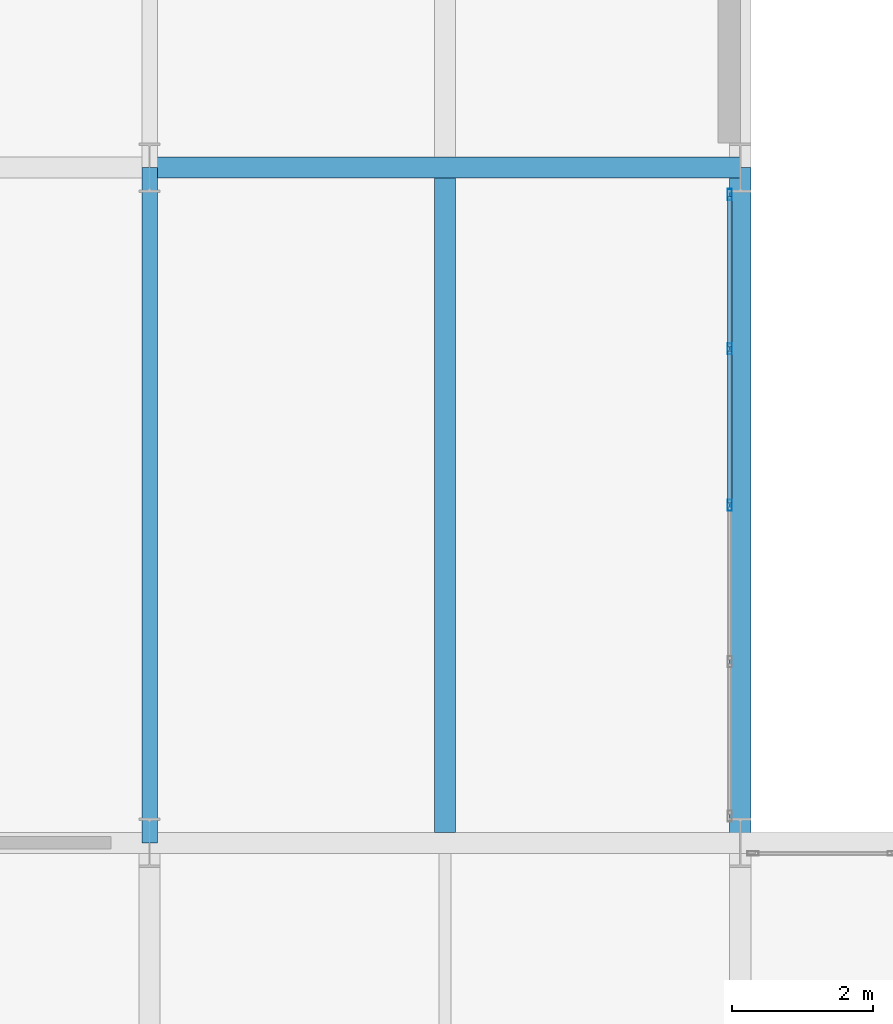
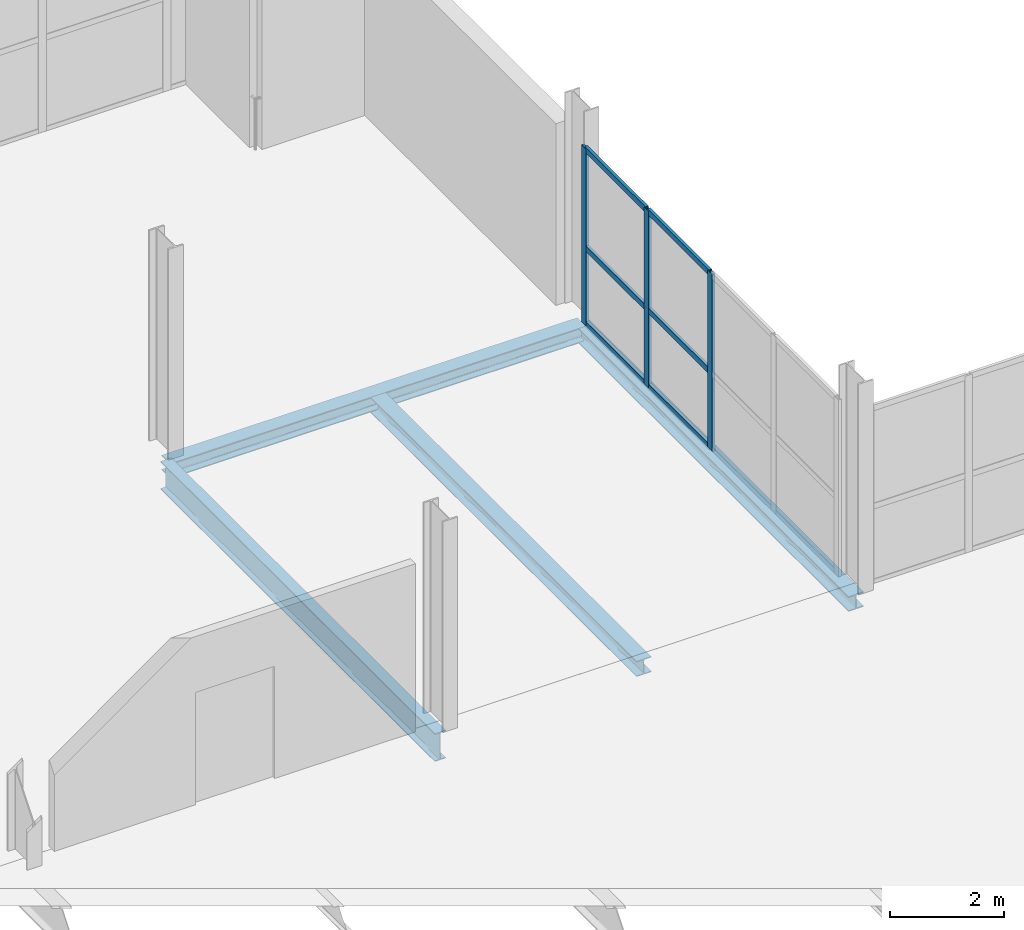
# One storey, part 60 of 113: 9 members, 4 beams, 1 element without a shape of its own.
"""IFC4 building model written with IfcOpenShell, lengths in metres."""

from ifc_helpers import new_model, si_unit, direction, frame, origin, origin_2d, place, context, subcontext, project, spatial, hollow_rectangle, i_section, extrude, material, material_profile, profile_set, type_object, element, aggregate, save


model = new_model("IFC4")

# Units and contexts
model_context = context("Model", 3, precision=1e-05, world=origin(), true_north=direction((0.0, 1.0)))
body_context = subcontext(model_context, "Body", "Model", "MODEL_VIEW")
ifc_project = project(units=[si_unit("LENGTHUNIT", "METRE"), si_unit("AREAUNIT", "SQUARE_METRE"), si_unit("VOLUMEUNIT", "CUBIC_METRE"), si_unit("PLANEANGLEUNIT", "RADIAN"), si_unit("MASSUNIT", "GRAM", prefix="KILO")], contexts=[model_context])

# Site, building, storey
site_placement = place(None, origin())
site = spatial("IfcSite", under=ifc_project, at=site_placement, CompositionType="ELEMENT")
building_placement = place(site_placement, origin())
building = spatial("IfcBuilding", under=site, at=building_placement, Name="Veltarok Museum of Natural Sciences", CompositionType="ELEMENT")
storey_placement = place(building_placement, frame((0.0, 0.0, 8.39990234375)))
storey = spatial("IfcBuildingStorey", under=building, at=storey_placement, Name="L01", CompositionType="ELEMENT", Elevation=8.39990234375)

# Curtain wall, members
ifc_material_1 = material(Name="Low-iron triple insulated glass", Category="glass")
curtain_wall_type = type_object("IfcCurtainWallType", Name="Curtain Wall System CW-V2NPE1-L01-2-890x378 (CW-V2NPE1 L01 890x378cm)", PredefinedType="NOTDEFINED", material=ifc_material_1)
curtain_wall_placement = place(storey_placement, origin())
curtain_wall = element("IfcCurtainWall", 1, at=curtain_wall_placement, inside=storey, type_object=curtain_wall_type, Name="Curtain Wall CW-V2NPE1-L01-2-890x378 CW-0222", PredefinedType="NOTDEFINED")
ifc_material_2 = material(Name="Thermally broken anodised aluminium", Category="aluminium")
ifc_material_profile_1 = material_profile(ifc_material_2, hollow_rectangle(XDim=0.06005859375, YDim=0.1201171875, WallThickness=0.0048828125, at=origin_2d()), Name="CW TRANSOM 60x120x5")
ifc_profile_set_1 = profile_set([ifc_material_profile_1], Name="Thermally broken anodised aluminium")
member_type_1 = type_object("IfcMemberType", Name="Curtain Wall Horizontal Transom 60x120x5", PredefinedType="USERDEFINED", material=ifc_profile_set_1)
member_1_placement = place(storey_placement, frame((81.85009765625, 76.830078125, 0.028076171875), z_axis=(0.0, 1.0, 0.0), x_axis=(-1.0, 0.0, 0.0)))
member_1 = element("IfcMember", 2, at=member_1_placement, type_object=member_type_1, Name="CW-V2NPE1-L01-2-890x378 transom 3.1", ObjectType="TRANSOM", PredefinedType="USERDEFINED", context=body_context, shape_type="SweptSolid", body=[
    extrude(hollow_rectangle(XDim=0.06005859375, YDim=0.1201171875, WallThickness=0.0048828125, at=origin_2d()), origin(), (0.0, 0.0, 1.0), 2.1650390625),
])
member_2_placement = place(storey_placement, frame((81.85009765625, 76.830078125, 1.648193359375), z_axis=(0.0, 1.0, 0.0), x_axis=(-1.0, 0.0, 0.0)))
member_2 = element("IfcMember", 3, at=member_2_placement, type_object=member_type_1, Name="CW-V2NPE1-L01-2-890x378 transom 3.2", ObjectType="TRANSOM", PredefinedType="USERDEFINED", context=body_context, shape_type="SweptSolid", body=[
    extrude(hollow_rectangle(XDim=0.06005859375, YDim=0.1201171875, WallThickness=0.0048828125, at=origin_2d()), origin(), (0.0, 0.0, 1.0), 2.1650390625),
])
member_3_placement = place(storey_placement, frame((81.85009765625, 76.830078125, 3.75), z_axis=(0.0, 1.0, 0.0), x_axis=(-1.0, 0.0, 0.0)))
member_3 = element("IfcMember", 4, at=member_3_placement, type_object=member_type_1, Name="CW-V2NPE1-L01-2-890x378 transom 3.3", ObjectType="TRANSOM", PredefinedType="USERDEFINED", context=body_context, shape_type="SweptSolid", body=[
    extrude(hollow_rectangle(XDim=0.06005859375, YDim=0.1201171875, WallThickness=0.0048828125, at=origin_2d()), origin(), (0.0, 0.0, 1.0), 2.1650390625),
])
member_4_placement = place(storey_placement, frame((81.85009765625, 79.054931640625, 0.028076171875), z_axis=(0.0, 1.0, 0.0), x_axis=(-1.0, 0.0, 0.0)))
member_4 = element("IfcMember", 5, at=member_4_placement, type_object=member_type_1, Name="CW-V2NPE1-L01-2-890x378 transom 4.1", ObjectType="TRANSOM", PredefinedType="USERDEFINED", context=body_context, shape_type="SweptSolid", body=[
    extrude(hollow_rectangle(XDim=0.06005859375, YDim=0.1201171875, WallThickness=0.0048828125, at=origin_2d()), origin(), (0.0, 0.0, 1.0), 2.135009765625),
])
member_5_placement = place(storey_placement, frame((81.85009765625, 79.054931640625, 1.648193359375), z_axis=(0.0, 1.0, 0.0), x_axis=(-1.0, 0.0, 0.0)))
member_5 = element("IfcMember", 6, at=member_5_placement, type_object=member_type_1, Name="CW-V2NPE1-L01-2-890x378 transom 4.2", ObjectType="TRANSOM", PredefinedType="USERDEFINED", context=body_context, shape_type="SweptSolid", body=[
    extrude(hollow_rectangle(XDim=0.06005859375, YDim=0.1201171875, WallThickness=0.0048828125, at=origin_2d()), origin(), (0.0, 0.0, 1.0), 2.135009765625),
])
member_6_placement = place(storey_placement, frame((81.85009765625, 79.054931640625, 3.75), z_axis=(0.0, 1.0, 0.0), x_axis=(-1.0, 0.0, 0.0)))
member_6 = element("IfcMember", 7, at=member_6_placement, type_object=member_type_1, Name="CW-V2NPE1-L01-2-890x378 transom 4.3", ObjectType="TRANSOM", PredefinedType="USERDEFINED", context=body_context, shape_type="SweptSolid", body=[
    extrude(hollow_rectangle(XDim=0.06005859375, YDim=0.1201171875, WallThickness=0.0048828125, at=origin_2d()), origin(), (0.0, 0.0, 1.0), 2.135009765625),
])
ifc_material_profile_2 = material_profile(ifc_material_2, hollow_rectangle(XDim=0.06005859375, YDim=0.159912109375, WallThickness=0.0048828125, at=origin_2d()), Name="CW MULLION 60x160x5")
ifc_profile_set_2 = profile_set([ifc_material_profile_2], Name="Thermally broken anodised aluminium")
member_type_2 = type_object("IfcMemberType", Name="Curtain Wall Vertical Mullion 60x160x5", PredefinedType="MULLION", material=ifc_profile_set_2)
member_7_placement = place(storey_placement, frame((81.85009765625, 76.800048828125, -0.001953125), z_axis=(0.0, 0.0, 1.0), x_axis=(-1.0, 0.0, 0.0)))
member_7 = element("IfcMember", 8, at=member_7_placement, type_object=member_type_2, Name="CW-V2NPE1-L01-2-890x378 mullion 3", PredefinedType="MULLION", context=body_context, shape_type="SweptSolid", body=[
    extrude(hollow_rectangle(XDim=0.06005859375, YDim=0.159912109375, WallThickness=0.0048828125, at=origin_2d()), origin(), (0.0, 0.0, 1.0), 3.781982421875),
])
member_8_placement = place(storey_placement, frame((81.85009765625, 79.02490234375, -0.001953125), z_axis=(0.0, 0.0, 1.0), x_axis=(-1.0, 0.0, 0.0)))
member_8 = element("IfcMember", 9, at=member_8_placement, type_object=member_type_2, Name="CW-V2NPE1-L01-2-890x378 mullion 4", PredefinedType="MULLION", context=body_context, shape_type="SweptSolid", body=[
    extrude(hollow_rectangle(XDim=0.06005859375, YDim=0.159912109375, WallThickness=0.0048828125, at=origin_2d()), origin(), (0.0, 0.0, 1.0), 3.781982421875),
])
member_9_placement = place(storey_placement, frame((81.85009765625, 81.219970703125, -0.001953125), z_axis=(0.0, 0.0, 1.0), x_axis=(-1.0, 0.0, 0.0)))
member_9 = element("IfcMember", 10, at=member_9_placement, type_object=member_type_2, Name="CW-V2NPE1-L01-2-890x378 mullion 5", PredefinedType="MULLION", context=body_context, shape_type="SweptSolid", body=[
    extrude(hollow_rectangle(XDim=0.06005859375, YDim=0.159912109375, WallThickness=0.0048828125, at=origin_2d()), origin(), (0.0, 0.0, 1.0), 3.781982421875),
])
aggregate(curtain_wall, [member_7, member_8, member_9, member_1, member_2, member_3, member_4, member_5, member_6])

# Beams
ifc_material_3 = material(Name="Steel S355J2", Category="steel")
ifc_material_profile_3 = material_profile(ifc_material_3, i_section(OverallWidth=0.300048828125, OverallDepth=0.330078125, WebThickness=0.009521484375, FlangeThickness=0.0166015625, FilletRadius=0.027099609375, at=origin_2d()), Name="HEA 340")
ifc_profile_set_3 = profile_set([ifc_material_profile_3], Name="Steel S355J2")
beam_type_1 = type_object("IfcBeamType", Name="Exhibition Floor Joist HEA 340", PredefinedType="JOIST", material=ifc_profile_set_3)
beam_1_placement = place(storey_placement, frame((77.800048828125, 72.14794921875, -0.414794921875), z_axis=(0.0, 1.0, 0.0), x_axis=(-1.0, 0.0, 0.0)))
element("IfcBeam", 11, at=beam_1_placement, inside=storey, type_object=beam_type_1, Name="Secondary Joist BM-J08 L01 9-10/H-J.1", PredefinedType="JOIST", context=body_context, shape_type="SweptSolid", body=[
    extrude(i_section(OverallWidth=0.300048828125, OverallDepth=0.330078125, WebThickness=0.009521484375, FlangeThickness=0.0166015625, FilletRadius=0.027099609375, at=origin_2d()), origin(), (0.0, 0.0, 1.0), 9.303955078125),
])
ifc_material_profile_4 = material_profile(ifc_material_3, i_section(OverallWidth=0.300048828125, OverallDepth=0.320068359375, WebThickness=0.011474609375, FlangeThickness=0.0205078125, FilletRadius=0.027099609375, at=origin_2d()), Name="HEB 320")
ifc_profile_set_4 = profile_set([ifc_material_profile_4], Name="Steel S355J2")
beam_type_2 = type_object("IfcBeamType", Name="Perimeter Sawtooth Spandrel HEB 320", PredefinedType="SPANDREL", material=ifc_profile_set_4)
beam_2_placement = place(storey_placement, frame((73.60009765625, 81.60009765625, -0.409912109375), z_axis=(1.0, 0.0, 0.0), x_axis=(0.0, 1.0, 0.0)))
element("IfcBeam", 12, at=beam_2_placement, inside=storey, type_object=beam_type_2, Name="Beam BM-SP06 L01 9-10/J", PredefinedType="SPANDREL", context=body_context, shape_type="SweptSolid", body=[
    extrude(i_section(OverallWidth=0.300048828125, OverallDepth=0.320068359375, WebThickness=0.011474609375, FlangeThickness=0.0205078125, FilletRadius=0.027099609375, at=origin_2d()), origin(), (0.0, 0.0, 1.0), 8.39990234375),
])
beam_3_placement = place(storey_placement, frame((82.0, 72.0, -0.409912109375), z_axis=(0.0, 1.0, 0.0), x_axis=(-1.0, 0.0, 0.0)))
element("IfcBeam", 13, at=beam_3_placement, inside=storey, type_object=beam_type_2, Name="Beam BM-SP06 L01 10/H-J", PredefinedType="SPANDREL", context=body_context, shape_type="SweptSolid", body=[
    extrude(i_section(OverallWidth=0.300048828125, OverallDepth=0.320068359375, WebThickness=0.011474609375, FlangeThickness=0.0205078125, FilletRadius=0.027099609375, at=origin_2d()), origin(), (0.0, 0.0, 1.0), 9.60009765625),
])
ifc_material_profile_5 = material_profile(ifc_material_3, i_section(OverallWidth=0.219970703125, OverallDepth=0.60009765625, WebThickness=0.011962890625, FlangeThickness=0.01904296875, FilletRadius=0.02392578125, at=origin_2d()), Name="IPE 600")
ifc_profile_set_5 = profile_set([ifc_material_profile_5], Name="Steel S355J2")
beam_type_3 = type_object("IfcBeamType", Name="Primary Museum Girder IPE 600", PredefinedType="BEAM", material=ifc_profile_set_5)
beam_4_placement = place(storey_placement, frame((73.60009765625, 72.0, -0.5498046875), z_axis=(0.0, 1.0, 0.0), x_axis=(-1.0, 0.0, 0.0)))
element("IfcBeam", 14, at=beam_4_placement, inside=storey, type_object=beam_type_3, Name="Beam BM-G02 L01 9/H-J", PredefinedType="BEAM", context=body_context, shape_type="SweptSolid", body=[
    extrude(i_section(OverallWidth=0.219970703125, OverallDepth=0.60009765625, WebThickness=0.011962890625, FlangeThickness=0.01904296875, FilletRadius=0.02392578125, at=origin_2d()), origin(), (0.0, 0.0, 1.0), 9.60009765625),
])

save(model, "model.ifc")
